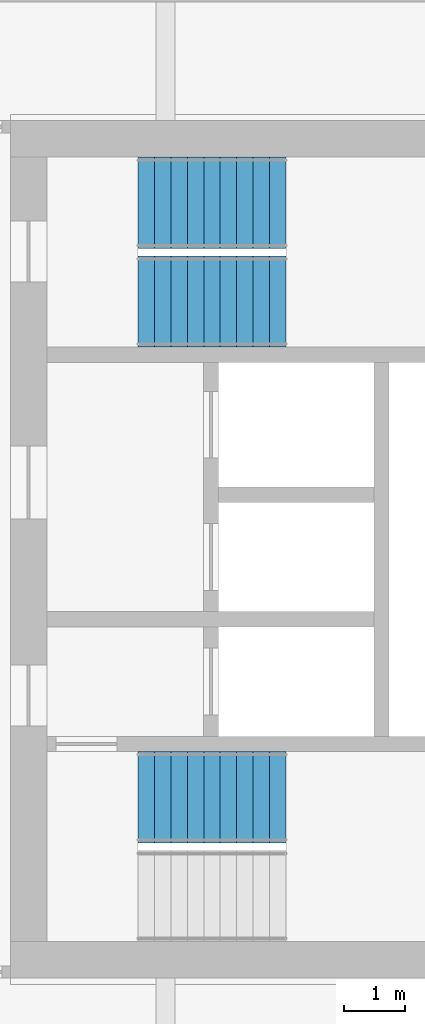
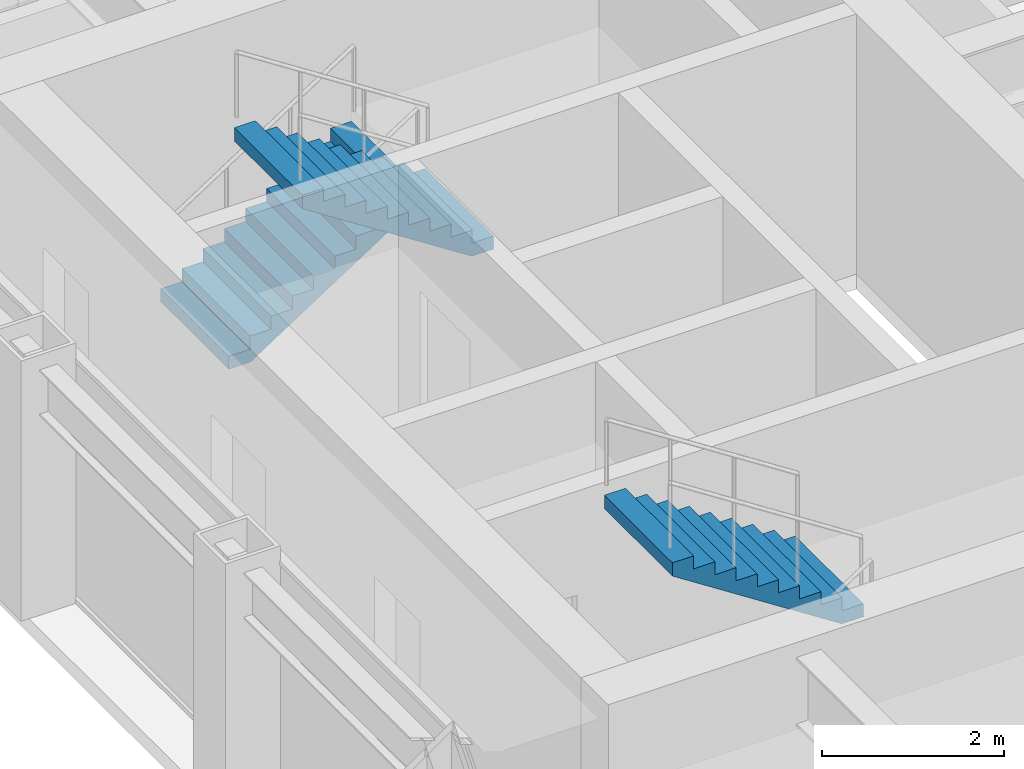
# One storey, part 16 of 21: 3 stair flights, 2 elements without a shape of their own.
"""IFC4 building model written with IfcOpenShell, lengths in metres."""

from ifc_helpers import new_model, si_unit, direction, frame, origin, place, context, subcontext, project, spatial, polyline, outline, extrude, material, type_object, element, aggregate, save


model = new_model("IFC4")

# Units and contexts
model_context = context("Model", 3, precision=1e-05, world=origin(), true_north=direction((0.0, 1.0)))
body_context = subcontext(model_context, "Body", "Model", "MODEL_VIEW")
ifc_project = project(units=[si_unit("LENGTHUNIT", "METRE"), si_unit("AREAUNIT", "SQUARE_METRE"), si_unit("VOLUMEUNIT", "CUBIC_METRE"), si_unit("PLANEANGLEUNIT", "RADIAN"), si_unit("MASSUNIT", "GRAM", prefix="KILO")], contexts=[model_context])

# Site, building, storey
site_placement = place(None, origin())
site = spatial("IfcSite", under=ifc_project, at=site_placement, CompositionType="ELEMENT")
building_placement = place(site_placement, origin())
building = spatial("IfcBuilding", under=site, at=building_placement, Name="Msasa Ring Tower", CompositionType="ELEMENT")
storey_placement = place(building_placement, frame((0.0, 0.0, 79.0)))
storey = spatial("IfcBuildingStorey", under=building, at=storey_placement, Name="L20", CompositionType="ELEMENT", Elevation=79.0)

# Stair, stair flight
ifc_material_1 = material(Name="Concrete C40/50", Category="concrete")
stair_type = type_object("IfcStairType", Name="STC CORE STAIR 20 RISERS 175", PredefinedType="HALF_TURN_STAIR", material=ifc_material_1)
stair_1_placement = place(storey_placement, origin())
stair_1 = element("IfcStair", 1, at=stair_1_placement, inside=storey, type_object=stair_type, Name="Core stair SEA L20", PredefinedType="HALF_TURN_STAIR")
ifc_material_2 = material(Name="Concrete C40/50", Category="concrete")
stair_flight_type = type_object("IfcStairFlightType", Name="ST12 CORE STAIR FLIGHT 1500 10 RISERS 175", PredefinedType="STRAIGHT", material=ifc_material_2)
stair_flight_1_placement = place(storey_placement, frame((13.22998046875, -4.074951171875, 1.75), z_axis=(0.0, 0.0, 1.0), x_axis=(-1.0, 0.0, 0.0)))
stair_flight_1 = element("IfcStairFlight", 2, at=stair_flight_1_placement, type_object=stair_flight_type, Name="SEA flight 2", NumberOfRisers=10, NumberOfTreads=9, PredefinedType="STRAIGHT", RiserHeight=0.175, TreadLength=0.27, context=body_context, shape_type="SweptSolid", body=[
    extrude(outline(polyline([(0.0, 0.0), (0.0, 0.175048828125), (0.27001953125, 0.175048828125), (0.27001953125, 0.35009765625), (0.5400390625, 0.35009765625), (0.5400390625, 0.52490234375), (0.81005859375, 0.52490234375), (0.81005859375, 0.699951171875), (1.080078125, 0.699951171875), (1.080078125, 0.875), (1.35009765625, 0.875), (1.35009765625, 1.050048828125), (1.6201171875, 1.050048828125), (1.6201171875, 1.22509765625), (1.889892578125, 1.22509765625), (1.889892578125, 1.39990234375), (2.159912109375, 1.39990234375), (2.159912109375, 1.574951171875), (2.429931640625, 1.574951171875), (2.429931640625, 1.75), (2.429931640625, 1.396484375), (0.275634765625, 0.0), (0.0, 0.0)])), frame((0.0, 0.75, 0.0), z_axis=(0.0, -1.0, 0.0), x_axis=(1.0, 0.0, 0.0)), (0.0, 0.0, 1.0), 1.5),
])
aggregate(stair_1, [stair_flight_1])

# Stair, stair flights
stair_2_placement = place(storey_placement, origin())
stair_2 = element("IfcStair", 3, at=stair_2_placement, inside=storey, type_object=stair_type, Name="Core stair SEB L20", PredefinedType="HALF_TURN_STAIR")
stair_flight_2_placement = place(storey_placement, frame((10.800048828125, 5.699951171875, 0.0), z_axis=(0.0, 0.0, 1.0), x_axis=(1.0, 0.0, 0.0)))
stair_flight_2 = element("IfcStairFlight", 4, at=stair_flight_2_placement, type_object=stair_flight_type, Name="SEB flight 1", NumberOfRisers=10, NumberOfTreads=9, PredefinedType="STRAIGHT", RiserHeight=0.175, TreadLength=0.27, context=body_context, shape_type="SweptSolid", body=[
    extrude(outline(polyline([(0.0, 0.0), (0.0, 0.175048828125), (0.27001953125, 0.175048828125), (0.27001953125, 0.35009765625), (0.5400390625, 0.35009765625), (0.5400390625, 0.52490234375), (0.81005859375, 0.52490234375), (0.81005859375, 0.699951171875), (1.080078125, 0.699951171875), (1.080078125, 0.875), (1.35009765625, 0.875), (1.35009765625, 1.050048828125), (1.6201171875, 1.050048828125), (1.6201171875, 1.22509765625), (1.889892578125, 1.22509765625), (1.889892578125, 1.39990234375), (2.159912109375, 1.39990234375), (2.159912109375, 1.574951171875), (2.429931640625, 1.574951171875), (2.429931640625, 1.75), (2.429931640625, 1.396484375), (0.275634765625, 0.0), (0.0, 0.0)])), frame((0.0, 0.75, 0.0), z_axis=(0.0, -1.0, 0.0), x_axis=(1.0, 0.0, 0.0)), (0.0, 0.0, 1.0), 1.5),
])
stair_flight_3_placement = place(storey_placement, frame((13.22998046875, 4.074951171875, 1.75), z_axis=(0.0, 0.0, 1.0), x_axis=(-1.0, 0.0, 0.0)))
stair_flight_3 = element("IfcStairFlight", 5, at=stair_flight_3_placement, type_object=stair_flight_type, Name="SEB flight 2", NumberOfRisers=10, NumberOfTreads=9, PredefinedType="STRAIGHT", RiserHeight=0.175, TreadLength=0.27, context=body_context, shape_type="SweptSolid", body=[
    extrude(outline(polyline([(0.0, 0.0), (0.0, 0.175048828125), (0.27001953125, 0.175048828125), (0.27001953125, 0.35009765625), (0.5400390625, 0.35009765625), (0.5400390625, 0.52490234375), (0.81005859375, 0.52490234375), (0.81005859375, 0.699951171875), (1.080078125, 0.699951171875), (1.080078125, 0.875), (1.35009765625, 0.875), (1.35009765625, 1.050048828125), (1.6201171875, 1.050048828125), (1.6201171875, 1.22509765625), (1.889892578125, 1.22509765625), (1.889892578125, 1.39990234375), (2.159912109375, 1.39990234375), (2.159912109375, 1.574951171875), (2.429931640625, 1.574951171875), (2.429931640625, 1.75), (2.429931640625, 1.396484375), (0.275634765625, 0.0), (0.0, 0.0)])), frame((0.0, 0.75, 0.0), z_axis=(0.0, -1.0, 0.0), x_axis=(1.0, 0.0, 0.0)), (0.0, 0.0, 1.0), 1.5),
])
aggregate(stair_2, [stair_flight_2, stair_flight_3])

save(model, "model.ifc")
